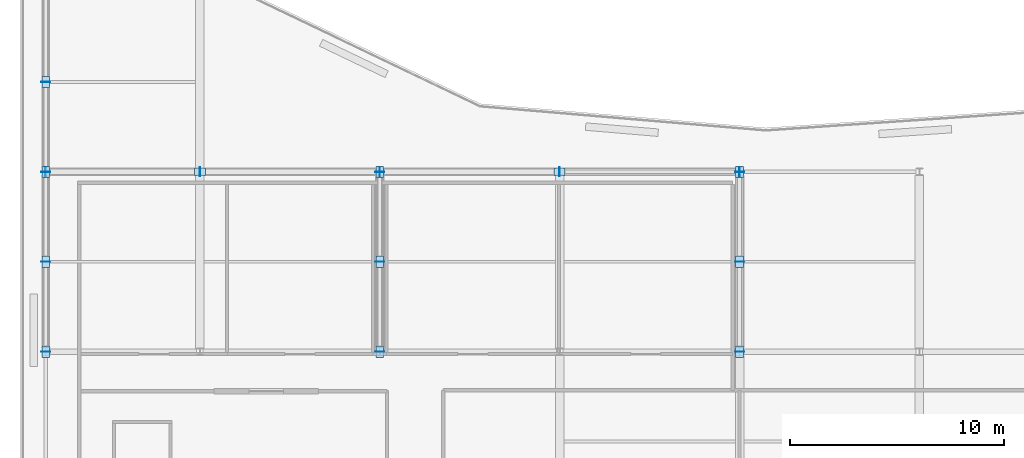
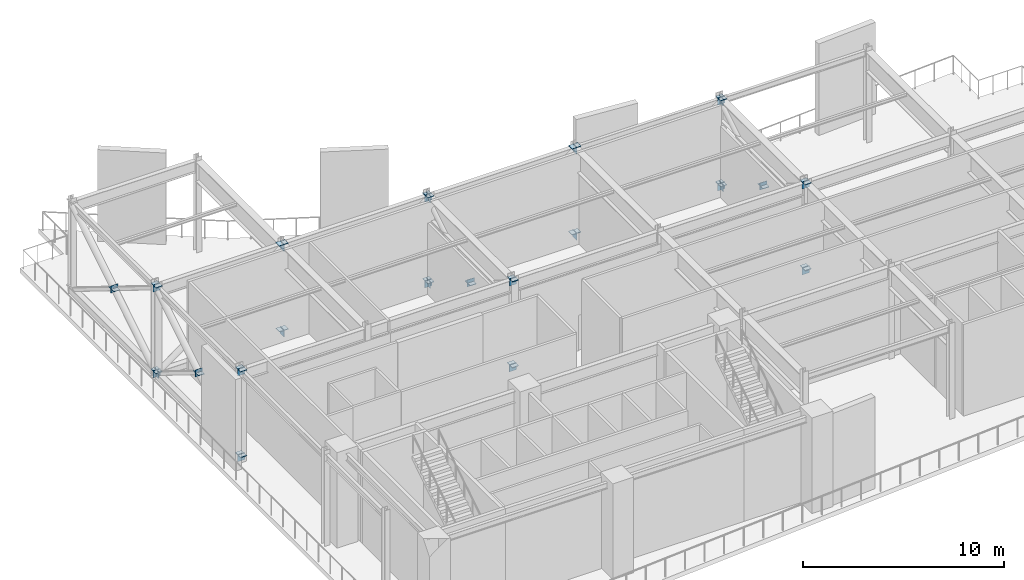
# One storey, part 6 of 13: 45 plates.
"""IFC4 building model written with IfcOpenShell, lengths in metres."""

from ifc_helpers import new_model, si_unit, direction, frame, origin, origin_2d, place, context, subcontext, project, spatial, rectangle, extrude, material, layer, layer_set, type_object, element, save


model = new_model("IFC4")

# Units and contexts
model_context = context("Model", 3, precision=1e-05, world=origin(), true_north=direction((0.0, 1.0)))
body_context = subcontext(model_context, "Body", "Model", "MODEL_VIEW")
ifc_project = project(units=[si_unit("LENGTHUNIT", "METRE"), si_unit("AREAUNIT", "SQUARE_METRE"), si_unit("VOLUMEUNIT", "CUBIC_METRE"), si_unit("PLANEANGLEUNIT", "RADIAN"), si_unit("MASSUNIT", "GRAM", prefix="KILO")], contexts=[model_context])

# Site, building, storey
site_placement = place(None, origin())
site = spatial("IfcSite", under=ifc_project, at=site_placement, CompositionType="ELEMENT")
building_placement = place(site_placement, origin())
building = spatial("IfcBuilding", under=site, at=building_placement, Name="Varnakote Quay Hospital", CompositionType="ELEMENT")
storey_placement = place(building_placement, frame((0.0, 0.0, 174.449951171875)))
storey = spatial("IfcBuildingStorey", under=building, at=storey_placement, Name="L43", CompositionType="ELEMENT", Elevation=174.449951171875)

# Plates
ifc_material_1 = material(Name="Structural steel AS/NZS 3678 Grade 350 (fy 340 MPa)", Category="steel")
ifc_layer_1 = layer(ifc_material_1, 0.02001953125)
ifc_layer_set_1 = layer_set([ifc_layer_1], Name="Structural steel AS/NZS 3678 Grade 350 (fy 340 MPa)")
plate_type_1 = type_object("IfcPlateType", Name="PLT-ENDCAP-420x420x20", PredefinedType="USERDEFINED", material=ifc_layer_set_1)
for number, where, z_axis, x_axis, name in (
    (1, (1.199951171875, 20.39990234375, -0.030029296875), (0.0, 0.0, 1.0), (0.0, 1.0, 0.0), "L43 Hollow Section Sealed End Cap Plate"),
    (2, (1.199951171875, 28.800048828125, -0.030029296875), (0.0, 0.0, 1.0), (0.0, 1.0, 0.0), "L43 Hollow Section Sealed End Cap Plate"),
    (3, (1.199951171875, 28.800048828125, 5.170166015625), (0.0, 0.0, 1.0), (0.0, 1.0, 0.0), "L43 Hollow Section Sealed End Cap Plate"),
    (4, (1.199951171875, 24.60009765625, 2.570068359375), (0.0, 0.0, 1.0), (0.0, 1.0, 0.0), "L43 Hollow Section Sealed End Cap Plate"),
    (5, (1.199951171875, 20.39990234375, 5.170166015625), (0.0, 0.0, 1.0), (0.0, 1.0, 0.0), "L43 Hollow Section Sealed End Cap Plate"),
    (6, (1.199951171875, 33.0, 2.570068359375), (0.0, 0.0, 1.0), (0.0, 1.0, 0.0), "L43 Hollow Section Sealed End Cap Plate"),
    (7, (16.800048828125, 20.39990234375, -0.030029296875), (0.0, 0.0, 1.0), (0.0, 1.0, 0.0), "L43 Hollow Section Sealed End Cap Plate"),
    (8, (16.800048828125, 28.800048828125, -0.030029296875), (0.0, 0.0, 1.0), (0.0, 1.0, 0.0), "L43 Hollow Section Sealed End Cap Plate"),
    (9, (16.800048828125, 28.800048828125, 5.170166015625), (0.0, 0.0, 1.0), (0.0, 1.0, 0.0), "L43 Hollow Section Sealed End Cap Plate"),
    (10, (16.800048828125, 24.60009765625, 2.570068359375), (0.0, 0.0, 1.0), (0.0, 1.0, 0.0), "L43 Hollow Section Sealed End Cap Plate"),
    (11, (16.800048828125, 20.39990234375, 5.170166015625), (0.0, 0.0, 1.0), (0.0, 1.0, 0.0), "L43 Hollow Section Sealed End Cap Plate"),
    (12, (33.60009765625, 20.39990234375, -0.030029296875), (0.0, 0.0, 1.0), (0.0, 1.0, 0.0), "L43 Hollow Section Sealed End Cap Plate"),
    (13, (33.60009765625, 28.800048828125, -0.030029296875), (0.0, 0.0, 1.0), (0.0, 1.0, 0.0), "L43 Hollow Section Sealed End Cap Plate"),
    (14, (33.60009765625, 28.800048828125, 5.170166015625), (0.0, 0.0, 1.0), (0.0, 1.0, 0.0), "L43 Hollow Section Sealed End Cap Plate"),
    (15, (33.60009765625, 24.60009765625, 2.570068359375), (0.0, 0.0, 1.0), (0.0, 1.0, 0.0), "L43 Hollow Section Sealed End Cap Plate"),
    (16, (33.60009765625, 20.39990234375, 5.170166015625), (0.0, 0.0, 1.0), (0.0, 1.0, 0.0), "L43 Hollow Section Sealed End Cap Plate"),
    (17, (1.199951171875, 28.800048828125, -0.030029296875), (0.0, 0.0, 1.0), (1.0, 0.0, 0.0), "L43 Hollow Section Sealed End Cap Plate"),
    (18, (8.39990234375, 28.800048828125, -0.030029296875), (0.0, 0.0, 1.0), (1.0, 0.0, 0.0), "L43 Hollow Section Sealed End Cap Plate"),
    (19, (8.39990234375, 28.800048828125, 5.170166015625), (0.0, 0.0, 1.0), (1.0, 0.0, 0.0), "L43 Hollow Section Sealed End Cap Plate"),
    (20, (16.800048828125, 28.800048828125, -0.030029296875), (0.0, 0.0, 1.0), (1.0, 0.0, 0.0), "L43 Hollow Section Sealed End Cap Plate"),
    (21, (16.800048828125, 28.800048828125, 5.170166015625), (0.0, 0.0, 1.0), (1.0, 0.0, 0.0), "L43 Hollow Section Sealed End Cap Plate"),
    (22, (25.199951171875, 28.800048828125, -0.030029296875), (0.0, 0.0, 1.0), (1.0, 0.0, 0.0), "L43 Hollow Section Sealed End Cap Plate"),
    (23, (25.199951171875, 28.800048828125, 5.170166015625), (0.0, 0.0, 1.0), (1.0, 0.0, 0.0), "L43 Hollow Section Sealed End Cap Plate"),
    (24, (33.60009765625, 28.800048828125, -0.030029296875), (0.0, 0.0, 1.0), (1.0, 0.0, 0.0), "L43 Hollow Section Sealed End Cap Plate"),
    (25, (33.60009765625, 28.800048828125, 5.170166015625), (0.0, 0.0, 1.0), (1.0, 0.0, 0.0), "L43 Hollow Section Sealed End Cap Plate"),
):
    element("IfcPlate", number, at=place(storey_placement, frame(where, z_axis=z_axis, x_axis=x_axis)), inside=storey, type_object=plate_type_1, Name=name, ObjectType="END_CAP_PLATE", PredefinedType="USERDEFINED", context=body_context, shape_type="SweptSolid", body=[
        extrude(rectangle(XDim=0.02001953125, YDim=0.419921875, at=origin_2d()), origin(), (0.0, 0.0, 1.0), 0.419921875),
    ])
ifc_material_2 = material(Name="Structural steel AS/NZS 3678 Grade 350 (fy 340 MPa)", Category="steel")
ifc_layer_2 = layer(ifc_material_2, 0.031982421875)
ifc_layer_set_2 = layer_set([ifc_layer_2], Name="Structural steel AS/NZS 3678 Grade 350 (fy 340 MPa)")
plate_type_2 = type_object("IfcPlateType", Name="PLT-GUSSET-520x360x32", PredefinedType="USERDEFINED", material=ifc_layer_set_2)
for number, where, z_axis, x_axis, name in (
    (26, (1.199951171875, 20.39990234375, 0.34423828125), (0.0, 0.0, 1.0), (0.0, 1.0, 0.0), "L43 Truss Concentric Node Gusset Plate"),
    (27, (1.199951171875, 28.800048828125, 0.34423828125), (0.0, 0.0, 1.0), (0.0, 1.0, 0.0), "L43 Truss Concentric Node Gusset Plate"),
    (28, (1.199951171875, 20.39990234375, 5.5439453125), (0.0, 0.0, 1.0), (0.0, 1.0, 0.0), "L43 Truss Concentric Node Gusset Plate"),
    (29, (1.199951171875, 28.800048828125, 5.5439453125), (0.0, 0.0, 1.0), (0.0, 1.0, 0.0), "L43 Truss Concentric Node Gusset Plate"),
    (30, (1.199951171875, 24.60009765625, 2.76416015625), (0.0, 0.0, 1.0), (0.0, 1.0, 0.0), "L43 X-Brace Crossing Slotted Gusset Plate"),
    (31, (1.199951171875, 33.0, 2.76416015625), (0.0, 0.0, 1.0), (0.0, 1.0, 0.0), "L43 X-Brace Crossing Slotted Gusset Plate"),
    (32, (16.800048828125, 20.39990234375, 0.34423828125), (0.0, 0.0, 1.0), (0.0, 1.0, 0.0), "L43 Truss Concentric Node Gusset Plate"),
    (33, (16.800048828125, 28.800048828125, 0.34423828125), (0.0, 0.0, 1.0), (0.0, 1.0, 0.0), "L43 Truss Concentric Node Gusset Plate"),
    (34, (16.800048828125, 20.39990234375, 5.5439453125), (0.0, 0.0, 1.0), (0.0, 1.0, 0.0), "L43 Truss Concentric Node Gusset Plate"),
    (35, (16.800048828125, 28.800048828125, 5.5439453125), (0.0, 0.0, 1.0), (0.0, 1.0, 0.0), "L43 Truss Concentric Node Gusset Plate"),
    (36, (16.800048828125, 24.60009765625, 2.76416015625), (0.0, 0.0, 1.0), (0.0, 1.0, 0.0), "L43 X-Brace Crossing Slotted Gusset Plate"),
    (37, (33.60009765625, 20.39990234375, 0.34423828125), (0.0, 0.0, 1.0), (0.0, 1.0, 0.0), "L43 Truss Concentric Node Gusset Plate"),
    (38, (33.60009765625, 28.800048828125, 0.34423828125), (0.0, 0.0, 1.0), (0.0, 1.0, 0.0), "L43 Truss Concentric Node Gusset Plate"),
    (39, (33.60009765625, 20.39990234375, 5.5439453125), (0.0, 0.0, 1.0), (0.0, 1.0, 0.0), "L43 Truss Concentric Node Gusset Plate"),
    (40, (33.60009765625, 28.800048828125, 5.5439453125), (0.0, 0.0, 1.0), (0.0, 1.0, 0.0), "L43 Truss Concentric Node Gusset Plate"),
    (41, (33.60009765625, 24.60009765625, 2.76416015625), (0.0, 0.0, 1.0), (0.0, 1.0, 0.0), "L43 X-Brace Crossing Slotted Gusset Plate"),
    (42, (8.39990234375, 28.800048828125, 0.34423828125), (0.0, 0.0, 1.0), (1.0, 0.0, 0.0), "L43 Truss Concentric Node Gusset Plate"),
    (43, (8.39990234375, 28.800048828125, 5.5439453125), (0.0, 0.0, 1.0), (1.0, 0.0, 0.0), "L43 Truss Concentric Node Gusset Plate"),
    (44, (25.199951171875, 28.800048828125, 0.34423828125), (0.0, 0.0, 1.0), (1.0, 0.0, 0.0), "L43 Truss Concentric Node Gusset Plate"),
    (45, (25.199951171875, 28.800048828125, 5.5439453125), (0.0, 0.0, 1.0), (1.0, 0.0, 0.0), "L43 Truss Concentric Node Gusset Plate"),
):
    element("IfcPlate", number, at=place(storey_placement, frame(where, z_axis=z_axis, x_axis=x_axis)), inside=storey, type_object=plate_type_2, Name=name, ObjectType="GUSSET_PLATE", PredefinedType="USERDEFINED", context=body_context, shape_type="SweptSolid", body=[
        extrude(rectangle(XDim=0.52001953125, YDim=0.360107421875, at=origin_2d()), origin(), (0.0, 0.0, 1.0), 0.031982421875),
    ])

save(model, "model.ifc")
